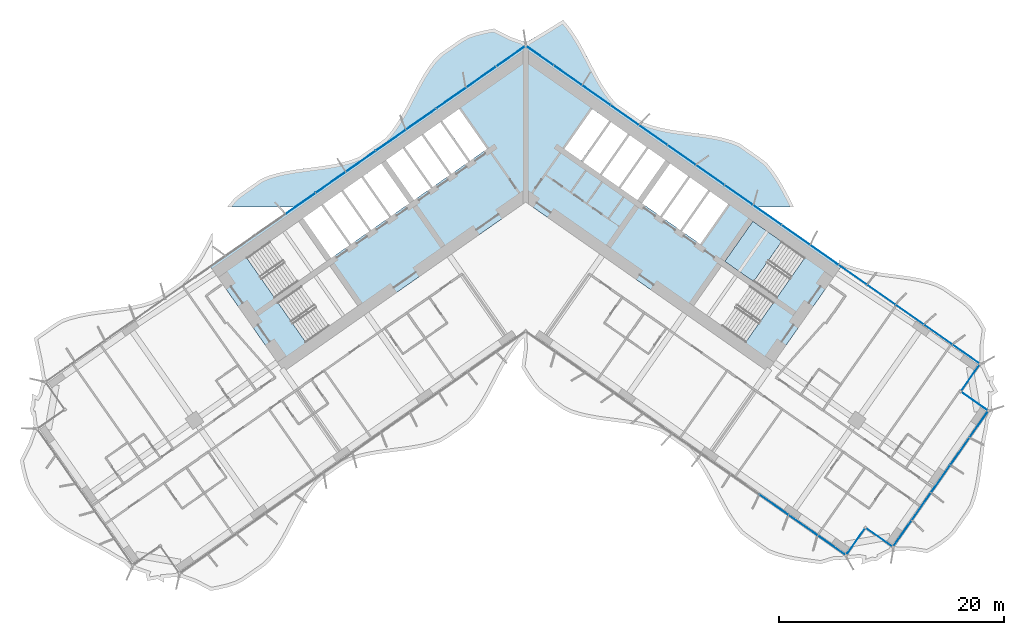
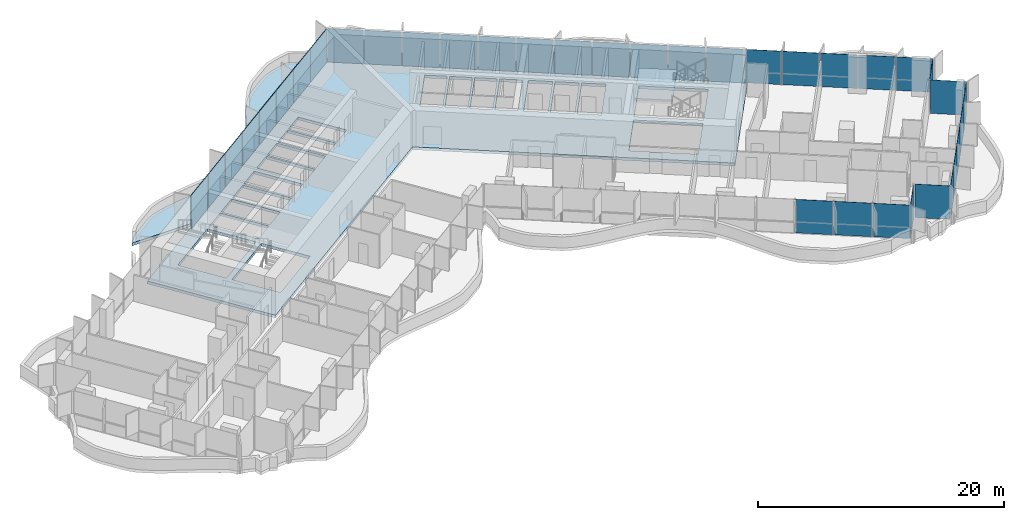
# One storey, part 11 of 23: 36 plates, 3 slabs, 3 elements without a shape of their own.
"""IFC4 building model written with IfcOpenShell, lengths in metres."""

from ifc_helpers import new_model, si_unit, direction, frame, origin, origin_2d, place, context, subcontext, project, spatial, polyline, rectangle, outline, extrude, material, layer, layer_set, type_object, element, aggregate, save


model = new_model("IFC4")

# Units and contexts
model_context = context("Model", 3, precision=1e-05, world=origin(), true_north=direction((0.0, 1.0)))
body_context = subcontext(model_context, "Body", "Model", "MODEL_VIEW")
ifc_project = project(units=[si_unit("LENGTHUNIT", "METRE"), si_unit("AREAUNIT", "SQUARE_METRE"), si_unit("VOLUMEUNIT", "CUBIC_METRE"), si_unit("PLANEANGLEUNIT", "RADIAN"), si_unit("MASSUNIT", "GRAM", prefix="KILO")], contexts=[model_context])

# Site, building, storey
site_placement = place(None, origin())
site = spatial("IfcSite", under=ifc_project, at=site_placement, CompositionType="ELEMENT")
building_placement = place(site_placement, origin())
building = spatial("IfcBuilding", under=site, at=building_placement, Name="Tel Ilan Convention Tower", CompositionType="ELEMENT")
storey_placement = place(building_placement, frame((0.0, 0.0, 83.300048828125)))
storey = spatial("IfcBuildingStorey", under=building, at=storey_placement, Name="L16", CompositionType="ELEMENT", Elevation=83.300048828125)

# Curtain wall, plates
ifc_material_1 = material(Name="Aluminium, bronze anodised", Category="aluminium")
curtain_wall_type_1 = type_object("IfcCurtainWallType", Name="CW1 UNITISED CURTAIN WALL, HOTEL TINTED GLASS", PredefinedType="NOTDEFINED", material=ifc_material_1)
curtain_wall_1_placement = place(storey_placement, origin())
curtain_wall_1 = element("IfcCurtainWall", 1, at=curtain_wall_1_placement, inside=storey, type_object=curtain_wall_type_1, Name="Curtain wall CW1-15.02", PredefinedType="NOTDEFINED")
ifc_material_2 = material(Name="Glass, bronze tinted, two-ply unitised", Category="glass")
ifc_layer_1 = layer(ifc_material_2, 0.028076171875)
ifc_layer_set_1 = layer_set([ifc_layer_1], Name="CW HOTEL GLASS PANEL 28")
plate_type_1 = type_object("IfcPlateType", Name="CW HOTEL GLASS PANEL 28", PredefinedType="CURTAIN_PANEL", material=ifc_layer_set_1)
plate_1_placement = place(storey_placement, frame((22.115478515625, -28.181396484375, 0.0), z_axis=(0.0, 0.0, 1.0), x_axis=(0.819152044289, -0.573576436351, 0.0)))
plate_1 = element("IfcPlate", 2, at=plate_1_placement, type_object=plate_type_1, Name="Glass panel", PredefinedType="CURTAIN_PANEL", context=body_context, shape_type="SweptSolid", body=[
    extrude(rectangle(XDim=3.10791015625, YDim=0.028076171875, at=origin_2d()), origin(), (0.0, 0.0, 1.0), 3.320068359375),
])
plate_2_placement = place(storey_placement, frame((24.71044921875, -29.99853515625, 0.0), z_axis=(0.0, 0.0, 1.0), x_axis=(0.819152044289, -0.573576436351, 0.0)))
plate_2 = element("IfcPlate", 3, at=plate_2_placement, type_object=plate_type_1, Name="Glass panel", PredefinedType="CURTAIN_PANEL", context=body_context, shape_type="SweptSolid", body=[
    extrude(rectangle(XDim=3.10791015625, YDim=0.028076171875, at=origin_2d()), origin(), (0.0, 0.0, 1.0), 3.320068359375),
])
plate_3_placement = place(storey_placement, frame((27.26708984375, -31.78857421875, 0.0), z_axis=(0.0, 0.0, 1.0), x_axis=(0.819152044289, -0.573576436351, 0.0)))
plate_3 = element("IfcPlate", 4, at=plate_3_placement, type_object=plate_type_1, Name="Glass panel", PredefinedType="CURTAIN_PANEL", context=body_context, shape_type="SweptSolid", body=[
    extrude(rectangle(XDim=3.013916015625, YDim=0.028076171875, at=origin_2d()), origin(), (0.0, 0.0, 1.0), 3.320068359375),
])
plate_4_placement = place(storey_placement, frame((29.359375, -31.469482421875, 0.0), z_axis=(0.0, 0.0, 1.0), x_axis=(0.573576436351, 0.819152044289, 0.0)))
plate_4 = element("IfcPlate", 5, at=plate_4_placement, type_object=plate_type_1, Name="Glass panel", PredefinedType="CURTAIN_PANEL", context=body_context, shape_type="SweptSolid", body=[
    extrude(rectangle(XDim=2.875, YDim=0.028076171875, at=origin_2d()), origin(), (0.0, 0.0, 1.0), 3.320068359375),
])
plate_5_placement = place(storey_placement, frame((31.502197265625, -31.091796875, 0.0), z_axis=(0.0, 0.0, 1.0), x_axis=(0.819152044289, -0.573576436351, 0.0)))
plate_5 = element("IfcPlate", 6, at=plate_5_placement, type_object=plate_type_1, Name="Glass panel", PredefinedType="CURTAIN_PANEL", context=body_context, shape_type="SweptSolid", body=[
    extrude(rectangle(XDim=2.875, YDim=0.028076171875, at=origin_2d()), origin(), (0.0, 0.0, 1.0), 3.320068359375),
])
plate_6_placement = place(storey_placement, frame((33.529296875, -30.74462890625, 0.0), z_axis=(0.0, 0.0, 1.0), x_axis=(0.573576436351, 0.819152044289, 0.0)))
plate_6 = element("IfcPlate", 7, at=plate_6_placement, type_object=plate_type_1, Name="Glass panel", PredefinedType="CURTAIN_PANEL", context=body_context, shape_type="SweptSolid", body=[
    extrude(rectangle(XDim=2.845947265625, YDim=0.028076171875, at=origin_2d()), origin(), (0.0, 0.0, 1.0), 3.320068359375),
])
plate_7_placement = place(storey_placement, frame((35.22314453125, -28.32568359375, 0.0), z_axis=(0.0, 0.0, 1.0), x_axis=(0.573576436351, 0.819152044289, 0.0)))
plate_7 = element("IfcPlate", 8, at=plate_7_placement, type_object=plate_type_1, Name="Glass panel", PredefinedType="CURTAIN_PANEL", context=body_context, shape_type="SweptSolid", body=[
    extrude(rectangle(XDim=2.93994140625, YDim=0.028076171875, at=origin_2d()), origin(), (0.0, 0.0, 1.0), 3.320068359375),
])
plate_8_placement = place(storey_placement, frame((36.94384765625, -25.868408203125, 0.0), z_axis=(0.0, 0.0, 1.0), x_axis=(0.573576436351, 0.819152044289, 0.0)))
plate_8 = element("IfcPlate", 9, at=plate_8_placement, type_object=plate_type_1, Name="Glass panel", PredefinedType="CURTAIN_PANEL", context=body_context, shape_type="SweptSolid", body=[
    extrude(rectangle(XDim=2.93994140625, YDim=0.028076171875, at=origin_2d()), origin(), (0.0, 0.0, 1.0), 3.320068359375),
])
plate_9_placement = place(storey_placement, frame((38.66455078125, -23.410888671875, 0.0), z_axis=(0.0, 0.0, 1.0), x_axis=(0.573576436351, 0.819152044289, 0.0)))
plate_9 = element("IfcPlate", 10, at=plate_9_placement, type_object=plate_type_1, Name="Glass panel", PredefinedType="CURTAIN_PANEL", context=body_context, shape_type="SweptSolid", body=[
    extrude(rectangle(XDim=2.93994140625, YDim=0.028076171875, at=origin_2d()), origin(), (0.0, 0.0, 1.0), 3.320068359375),
])
plate_10_placement = place(storey_placement, frame((40.358154296875, -20.991943359375, 0.0), z_axis=(0.0, 0.0, 1.0), x_axis=(0.573576436351, 0.819152044289, 0.0)))
plate_10 = element("IfcPlate", 11, at=plate_10_placement, type_object=plate_type_1, Name="Glass panel", PredefinedType="CURTAIN_PANEL", context=body_context, shape_type="SweptSolid", body=[
    extrude(rectangle(XDim=2.845947265625, YDim=0.028076171875, at=origin_2d()), origin(), (0.0, 0.0, 1.0), 3.320068359375),
])
plate_11_placement = place(storey_placement, frame((39.990966796875, -18.96826171875, 0.0), z_axis=(0.0, 0.0, 1.0), x_axis=(-0.819152044289, 0.573576436351, 0.0)))
plate_11 = element("IfcPlate", 12, at=plate_11_placement, type_object=plate_type_1, Name="Glass panel", PredefinedType="CURTAIN_PANEL", context=body_context, shape_type="SweptSolid", body=[
    extrude(rectangle(XDim=2.875, YDim=0.028076171875, at=origin_2d()), origin(), (0.0, 0.0, 1.0), 3.320068359375),
])
plate_12_placement = place(storey_placement, frame((39.61328125, -16.82568359375, 0.0), z_axis=(0.0, 0.0, 1.0), x_axis=(0.573576436351, 0.819152044289, 0.0)))
plate_12 = element("IfcPlate", 13, at=plate_12_placement, type_object=plate_type_1, Name="Glass panel", PredefinedType="CURTAIN_PANEL", context=body_context, shape_type="SweptSolid", body=[
    extrude(rectangle(XDim=2.875, YDim=0.028076171875, at=origin_2d()), origin(), (0.0, 0.0, 1.0), 3.320068359375),
])
plate_13_placement = place(storey_placement, frame((39.2265625, -14.7705078125, 0.0), z_axis=(0.0, 0.0, 1.0), x_axis=(-0.819152044289, 0.573576436351, 0.0)))
plate_13 = element("IfcPlate", 14, at=plate_13_placement, type_object=plate_type_1, Name="Glass panel", PredefinedType="CURTAIN_PANEL", context=body_context, shape_type="SweptSolid", body=[
    extrude(rectangle(XDim=2.943115234375, YDim=0.028076171875, at=origin_2d()), origin(), (0.0, 0.0, 1.0), 3.320068359375),
])
plate_14_placement = place(storey_placement, frame((36.72802734375, -13.021240234375, 0.0), z_axis=(0.0, 0.0, 1.0), x_axis=(-0.819152044289, 0.573576436351, 0.0)))
plate_14 = element("IfcPlate", 15, at=plate_14_placement, type_object=plate_type_1, Name="Glass panel", PredefinedType="CURTAIN_PANEL", context=body_context, shape_type="SweptSolid", body=[
    extrude(rectangle(XDim=3.037109375, YDim=0.028076171875, at=origin_2d()), origin(), (0.0, 0.0, 1.0), 3.320068359375),
])
plate_15_placement = place(storey_placement, frame((34.191162109375, -11.244873046875, 0.0), z_axis=(0.0, 0.0, 1.0), x_axis=(-0.819152044289, 0.573576436351, 0.0)))
plate_15 = element("IfcPlate", 16, at=plate_15_placement, type_object=plate_type_1, Name="Glass panel", PredefinedType="CURTAIN_PANEL", context=body_context, shape_type="SweptSolid", body=[
    extrude(rectangle(XDim=3.037109375, YDim=0.028076171875, at=origin_2d()), origin(), (0.0, 0.0, 1.0), 3.320068359375),
])
plate_16_placement = place(storey_placement, frame((31.654296875, -9.468505859375, 0.0), z_axis=(0.0, 0.0, 1.0), x_axis=(-0.819152044289, 0.573576436351, 0.0)))
plate_16 = element("IfcPlate", 17, at=plate_16_placement, type_object=plate_type_1, Name="Glass panel", PredefinedType="CURTAIN_PANEL", context=body_context, shape_type="SweptSolid", body=[
    extrude(rectangle(XDim=3.037109375, YDim=0.028076171875, at=origin_2d()), origin(), (0.0, 0.0, 1.0), 3.320068359375),
])
plate_17_placement = place(storey_placement, frame((29.1171875, -7.692138671875, 0.0), z_axis=(0.0, 0.0, 1.0), x_axis=(-0.819152044289, 0.573576436351, 0.0)))
plate_17 = element("IfcPlate", 18, at=plate_17_placement, type_object=plate_type_1, Name="Glass panel", PredefinedType="CURTAIN_PANEL", context=body_context, shape_type="SweptSolid", body=[
    extrude(rectangle(XDim=3.037109375, YDim=0.028076171875, at=origin_2d()), origin(), (0.0, 0.0, 1.0), 3.320068359375),
])
aggregate(curtain_wall_1, [plate_1, plate_2, plate_3, plate_4, plate_5, plate_6, plate_7, plate_8, plate_9, plate_10, plate_11, plate_12, plate_13, plate_14, plate_15, plate_16, plate_17])

ifc_material_3 = material(Name="Aluminium, bronze anodised", Category="aluminium")
curtain_wall_type_2 = type_object("IfcCurtainWallType", Name="CW2 STICK CURTAIN WALL, SPANDREL PANELS", PredefinedType="NOTDEFINED", material=ifc_material_3)
curtain_wall_2_placement = place(storey_placement, origin())
curtain_wall_2 = element("IfcCurtainWall", 19, at=curtain_wall_2_placement, inside=storey, type_object=curtain_wall_type_2, Name="Curtain wall CW2-15.01", PredefinedType="NOTDEFINED")
ifc_material_4 = material(Name="Aluminium composite panel, bronze anodised", Category="aluminium")
ifc_layer_2 = layer(ifc_material_4, 0.06005859375)
ifc_layer_set_2 = layer_set([ifc_layer_2], Name="CW SPANDREL PANEL 60")
plate_type_2 = type_object("IfcPlateType", Name="CW SPANDREL PANEL 60", PredefinedType="CURTAIN_PANEL", material=ifc_layer_set_2)
plate_18_placement = place(storey_placement, frame((26.580322265625, -5.915771484375, 0.0), z_axis=(0.0, 0.0, 1.0), x_axis=(-0.819152044289, 0.573576436351, 0.0)))
plate_18 = element("IfcPlate", 20, at=plate_18_placement, type_object=plate_type_2, Name="Spandrel panel", PredefinedType="CURTAIN_PANEL", context=body_context, shape_type="SweptSolid", body=[
    extrude(rectangle(XDim=3.037109375, YDim=0.06005859375, at=origin_2d()), origin(), (0.0, 0.0, 1.0), 3.320068359375),
])
plate_19_placement = place(storey_placement, frame((24.04345703125, -4.139404296875, 0.0), z_axis=(0.0, 0.0, 1.0), x_axis=(-0.819152044289, 0.573576436351, 0.0)))
plate_19 = element("IfcPlate", 21, at=plate_19_placement, type_object=plate_type_2, Name="Spandrel panel", PredefinedType="CURTAIN_PANEL", context=body_context, shape_type="SweptSolid", body=[
    extrude(rectangle(XDim=3.037109375, YDim=0.06005859375, at=origin_2d()), origin(), (0.0, 0.0, 1.0), 3.320068359375),
])
plate_20_placement = place(storey_placement, frame((21.506591796875, -2.363037109375, 0.0), z_axis=(0.0, 0.0, 1.0), x_axis=(-0.819152044289, 0.573576436351, 0.0)))
plate_20 = element("IfcPlate", 22, at=plate_20_placement, type_object=plate_type_2, Name="Spandrel panel", PredefinedType="CURTAIN_PANEL", context=body_context, shape_type="SweptSolid", body=[
    extrude(rectangle(XDim=3.037109375, YDim=0.06005859375, at=origin_2d()), origin(), (0.0, 0.0, 1.0), 3.320068359375),
])
plate_21_placement = place(storey_placement, frame((18.969482421875, -0.586669921875, 0.0), z_axis=(0.0, 0.0, 1.0), x_axis=(-0.819152044289, 0.573576436351, 0.0)))
plate_21 = element("IfcPlate", 23, at=plate_21_placement, type_object=plate_type_2, Name="Spandrel panel", PredefinedType="CURTAIN_PANEL", context=body_context, shape_type="SweptSolid", body=[
    extrude(rectangle(XDim=3.037109375, YDim=0.06005859375, at=origin_2d()), origin(), (0.0, 0.0, 1.0), 3.320068359375),
])
plate_22_placement = place(storey_placement, frame((16.4326171875, 1.189697265625, 0.0), z_axis=(0.0, 0.0, 1.0), x_axis=(-0.819152044289, 0.573576436351, 0.0)))
plate_22 = element("IfcPlate", 24, at=plate_22_placement, type_object=plate_type_2, Name="Spandrel panel", PredefinedType="CURTAIN_PANEL", context=body_context, shape_type="SweptSolid", body=[
    extrude(rectangle(XDim=3.037109375, YDim=0.06005859375, at=origin_2d()), origin(), (0.0, 0.0, 1.0), 3.320068359375),
])
plate_23_placement = place(storey_placement, frame((13.895751953125, 2.966064453125, 0.0), z_axis=(0.0, 0.0, 1.0), x_axis=(-0.819152044289, 0.573576436351, 0.0)))
plate_23 = element("IfcPlate", 25, at=plate_23_placement, type_object=plate_type_2, Name="Spandrel panel", PredefinedType="CURTAIN_PANEL", context=body_context, shape_type="SweptSolid", body=[
    extrude(rectangle(XDim=3.037109375, YDim=0.06005859375, at=origin_2d()), origin(), (0.0, 0.0, 1.0), 3.320068359375),
])
plate_24_placement = place(storey_placement, frame((11.35888671875, 4.742431640625, 0.0), z_axis=(0.0, 0.0, 1.0), x_axis=(-0.819152044289, 0.573576436351, 0.0)))
plate_24 = element("IfcPlate", 26, at=plate_24_placement, type_object=plate_type_2, Name="Spandrel panel", PredefinedType="CURTAIN_PANEL", context=body_context, shape_type="SweptSolid", body=[
    extrude(rectangle(XDim=3.037109375, YDim=0.06005859375, at=origin_2d()), origin(), (0.0, 0.0, 1.0), 3.320068359375),
])
plate_25_placement = place(storey_placement, frame((8.82177734375, 6.518798828125, 0.0), z_axis=(0.0, 0.0, 1.0), x_axis=(-0.819152044289, 0.573576436351, 0.0)))
plate_25 = element("IfcPlate", 27, at=plate_25_placement, type_object=plate_type_2, Name="Spandrel panel", PredefinedType="CURTAIN_PANEL", context=body_context, shape_type="SweptSolid", body=[
    extrude(rectangle(XDim=3.037109375, YDim=0.06005859375, at=origin_2d()), origin(), (0.0, 0.0, 1.0), 3.320068359375),
])
plate_26_placement = place(storey_placement, frame((6.284912109375, 8.295166015625, 0.0), z_axis=(0.0, 0.0, 1.0), x_axis=(-0.819152044289, 0.573576436351, 0.0)))
plate_26 = element("IfcPlate", 28, at=plate_26_placement, type_object=plate_type_2, Name="Spandrel panel", PredefinedType="CURTAIN_PANEL", context=body_context, shape_type="SweptSolid", body=[
    extrude(rectangle(XDim=3.037109375, YDim=0.06005859375, at=origin_2d()), origin(), (0.0, 0.0, 1.0), 3.320068359375),
])
plate_27_placement = place(storey_placement, frame((3.748046875, 10.07177734375, 0.0), z_axis=(0.0, 0.0, 1.0), x_axis=(-0.819152044289, 0.573576436351, 0.0)))
plate_27 = element("IfcPlate", 29, at=plate_27_placement, type_object=plate_type_2, Name="Spandrel panel", PredefinedType="CURTAIN_PANEL", context=body_context, shape_type="SweptSolid", body=[
    extrude(rectangle(XDim=3.037109375, YDim=0.06005859375, at=origin_2d()), origin(), (0.0, 0.0, 1.0), 3.320068359375),
])
plate_28_placement = place(storey_placement, frame((1.256103515625, 11.81640625, 0.0), z_axis=(0.0, 0.0, 1.0), x_axis=(-0.819152044289, 0.573576436351, 0.0)))
plate_28 = element("IfcPlate", 30, at=plate_28_placement, type_object=plate_type_2, Name="Spandrel panel", PredefinedType="CURTAIN_PANEL", context=body_context, shape_type="SweptSolid", body=[
    extrude(rectangle(XDim=2.927001953125, YDim=0.06005859375, at=origin_2d()), origin(), (0.0, 0.0, 1.0), 3.320068359375),
])
plate_29_placement = place(storey_placement, frame((-1.327880859375, 11.766357421875, 0.0), z_axis=(0.0, 0.0, 1.0), x_axis=(-0.819152044289, -0.573576436351, 0.0)))
plate_29 = element("IfcPlate", 31, at=plate_29_placement, type_object=plate_type_2, Name="Spandrel panel", PredefinedType="CURTAIN_PANEL", context=body_context, shape_type="SweptSolid", body=[
    extrude(rectangle(XDim=3.10205078125, YDim=0.06005859375, at=origin_2d()), origin(), (0.0, 0.0, 1.0), 3.320068359375),
])
plate_30_placement = place(storey_placement, frame((-3.963134765625, 9.921142578125, 0.0), z_axis=(0.0, 0.0, 1.0), x_axis=(-0.819152044289, -0.573576436351, 0.0)))
plate_30 = element("IfcPlate", 32, at=plate_30_placement, type_object=plate_type_2, Name="Spandrel panel", PredefinedType="CURTAIN_PANEL", context=body_context, shape_type="SweptSolid", body=[
    extrude(rectangle(XDim=3.2119140625, YDim=0.06005859375, at=origin_2d()), origin(), (0.0, 0.0, 1.0), 3.320068359375),
])
plate_31_placement = place(storey_placement, frame((-6.643310546875, 8.04443359375, 0.0), z_axis=(0.0, 0.0, 1.0), x_axis=(-0.819152044289, -0.573576436351, 0.0)))
plate_31 = element("IfcPlate", 33, at=plate_31_placement, type_object=plate_type_2, Name="Spandrel panel", PredefinedType="CURTAIN_PANEL", context=body_context, shape_type="SweptSolid", body=[
    extrude(rectangle(XDim=3.2119140625, YDim=0.06005859375, at=origin_2d()), origin(), (0.0, 0.0, 1.0), 3.320068359375),
])
plate_32_placement = place(storey_placement, frame((-9.323486328125, 6.16748046875, 0.0), z_axis=(0.0, 0.0, 1.0), x_axis=(-0.819152044289, -0.573576436351, 0.0)))
plate_32 = element("IfcPlate", 34, at=plate_32_placement, type_object=plate_type_2, Name="Spandrel panel", PredefinedType="CURTAIN_PANEL", context=body_context, shape_type="SweptSolid", body=[
    extrude(rectangle(XDim=3.2119140625, YDim=0.06005859375, at=origin_2d()), origin(), (0.0, 0.0, 1.0), 3.320068359375),
])
plate_33_placement = place(storey_placement, frame((-12.00390625, 4.290771484375, 0.0), z_axis=(0.0, 0.0, 1.0), x_axis=(-0.819152044289, -0.573576436351, 0.0)))
plate_33 = element("IfcPlate", 35, at=plate_33_placement, type_object=plate_type_2, Name="Spandrel panel", PredefinedType="CURTAIN_PANEL", context=body_context, shape_type="SweptSolid", body=[
    extrude(rectangle(XDim=3.2119140625, YDim=0.06005859375, at=origin_2d()), origin(), (0.0, 0.0, 1.0), 3.320068359375),
])
plate_34_placement = place(storey_placement, frame((-14.68408203125, 2.4140625, 0.0), z_axis=(0.0, 0.0, 1.0), x_axis=(-0.819152044289, -0.573576436351, 0.0)))
plate_34 = element("IfcPlate", 36, at=plate_34_placement, type_object=plate_type_2, Name="Spandrel panel", PredefinedType="CURTAIN_PANEL", context=body_context, shape_type="SweptSolid", body=[
    extrude(rectangle(XDim=3.2119140625, YDim=0.06005859375, at=origin_2d()), origin(), (0.0, 0.0, 1.0), 3.320068359375),
])
plate_35_placement = place(storey_placement, frame((-17.364501953125, 0.537353515625, 0.0), z_axis=(0.0, 0.0, 1.0), x_axis=(-0.819152044289, -0.573576436351, 0.0)))
plate_35 = element("IfcPlate", 37, at=plate_35_placement, type_object=plate_type_2, Name="Spandrel panel", PredefinedType="CURTAIN_PANEL", context=body_context, shape_type="SweptSolid", body=[
    extrude(rectangle(XDim=3.2119140625, YDim=0.06005859375, at=origin_2d()), origin(), (0.0, 0.0, 1.0), 3.320068359375),
])
plate_36_placement = place(storey_placement, frame((-20.044677734375, -1.33935546875, 0.0), z_axis=(0.0, 0.0, 1.0), x_axis=(-0.819152044289, -0.573576436351, 0.0)))
plate_36 = element("IfcPlate", 38, at=plate_36_placement, type_object=plate_type_2, Name="Spandrel panel", PredefinedType="CURTAIN_PANEL", context=body_context, shape_type="SweptSolid", body=[
    extrude(rectangle(XDim=3.2119140625, YDim=0.06005859375, at=origin_2d()), origin(), (0.0, 0.0, 1.0), 3.320068359375),
])
aggregate(curtain_wall_2, [plate_18, plate_19, plate_20, plate_21, plate_22, plate_23, plate_24, plate_25, plate_26, plate_27, plate_28, plate_29, plate_30, plate_31, plate_32, plate_33, plate_34, plate_35, plate_36])

# Stair, slab
ifc_material_5 = material(Name="Concrete C40/50", Category="concrete")
stair_type = type_object("IfcStairType", Name="Pressurised Exit Stair 20 risers 180 mm", PredefinedType="HALF_TURN_STAIR", material=ifc_material_5)
stair_placement = place(storey_placement, origin())
stair = element("IfcStair", 39, at=stair_placement, inside=storey, type_object=stair_type, Name="L16 Pressurised Stair S3", PredefinedType="HALF_TURN_STAIR")
ifc_material_6 = material(Name="Concrete C40/50", Category="concrete")
ifc_layer_3 = layer(ifc_material_6, 0.199951171875)
ifc_layer_set_3 = layer_set([ifc_layer_3], Name="Concrete Stair Landing 200 mm C40/50")
slab_type_1 = type_object("IfcSlabType", Name="Concrete Stair Landing 200 mm", PredefinedType="LANDING", material=ifc_layer_set_3)
slab_1_placement = place(storey_placement, frame((0.0, 0.0, 1.599853515625)))
slab_1 = element("IfcSlab", 40, at=slab_1_placement, type_object=slab_type_1, Name="S3 landing 1", PredefinedType="LANDING", context=body_context, shape_type="SweptSolid", body=[
    extrude(outline(polyline([(22.791015625, -4.727294921875), (20.226318359375, -2.931640625), (17.7314453125, -6.494873046875), (20.2958984375, -8.29052734375), (22.791015625, -4.727294921875)])), origin(), (0.0, 0.0, 1.0), 0.2001953125),
])
aggregate(stair, [slab_1])

# Slabs
ifc_material_7 = material(Name="Concrete C40/50", Category="concrete")
ifc_layer_4 = layer(ifc_material_7, 0.280029296875)
ifc_layer_set_4 = layer_set([ifc_layer_4], Name="Core Floor Slab 280 mm C40/50")
slab_type_2 = type_object("IfcSlabType", Name="Core Floor Slab 280 mm C40/50", PredefinedType="FLOOR", material=ifc_layer_set_4)
slab_2_placement = place(storey_placement, frame((0.0, 0.0, -0.280029296875)))
element("IfcSlab", 41, at=slab_2_placement, inside=storey, type_object=slab_type_2, Name="L16 core floor 1", PredefinedType="FLOOR", context=body_context, shape_type="SweptSolid", body=[
    extrude(outline(polyline([(-28.1396484375, -6.885498046875), (0.0, 12.818115234375), (28.1396484375, -6.885498046875), (21.54345703125, -16.3056640625), (0.0, -1.220703125), (-21.54345703125, -16.3056640625), (-28.1396484375, -6.885498046875)]), holes=[polyline([(-14.949462890625, -10.4677734375), (-17.444580078125, -6.904541015625), (-22.072021484375, -10.144775390625), (-19.5771484375, -13.7080078125), (-14.949462890625, -10.4677734375)]), polyline([(-17.7314453125, -6.494873046875), (-20.226318359375, -2.931640625), (-24.85400390625, -6.171875), (-22.35888671875, -9.735107421875), (-17.7314453125, -6.494873046875)]), polyline([(-18.198974609375, -1.511962890625), (-19.81689453125, -2.644775390625), (-17.32177734375, -6.2080078125), (-15.7041015625, -5.0751953125), (-18.198974609375, -1.511962890625)]), polyline([(-16.41748046875, -0.264404296875), (-18.03515625, -1.397216796875), (-15.5400390625, -4.960693359375), (-13.92236328125, -3.827880859375), (-16.41748046875, -0.264404296875)]), polyline([(-14.6357421875, 0.983154296875), (-16.25341796875, -0.149658203125), (-13.758544921875, -3.712890625), (-12.140625, -2.580078125), (-14.6357421875, 0.983154296875)]), polyline([(-12.85400390625, 2.230712890625), (-14.471923828125, 1.097900390625), (-11.976806640625, -2.465576171875), (-10.35888671875, -1.332763671875), (-12.85400390625, 2.230712890625)]), polyline([(-10.939208984375, 3.5712890625), (-12.444580078125, 2.517333984375), (-9.949462890625, -1.0458984375), (-8.444091796875, 0.008056640625), (-10.939208984375, 3.5712890625)]), polyline([(-6.775146484375, 1.1767578125), (-9.270263671875, 4.739990234375), (-10.775390625, 3.68603515625), (-8.280517578125, 0.122802734375), (-6.775146484375, 1.1767578125)]), polyline([(-5.106201171875, 2.345458984375), (-7.601318359375, 5.90869140625), (-9.1064453125, 4.854736328125), (-6.611328125, 1.29150390625), (-5.106201171875, 2.345458984375)]), polyline([(-5.93212890625, 7.077392578125), (-7.4375, 6.0234375), (-4.9423828125, 2.460205078125), (-3.437255859375, 3.513916015625), (-5.93212890625, 7.077392578125)]), polyline([(17.444580078125, -6.904541015625), (14.949462890625, -10.4677734375), (19.5771484375, -13.7080078125), (22.072021484375, -10.144775390625), (17.444580078125, -6.904541015625)]), polyline([(20.226318359375, -2.931640625), (17.7314453125, -6.494873046875), (22.35888671875, -9.735107421875), (24.85400390625, -6.171875), (20.226318359375, -2.931640625)]), polyline([(13.92236328125, -3.827880859375), (15.5400390625, -4.960693359375), (18.03515625, -1.397216796875), (16.41748046875, -0.264404296875), (13.92236328125, -3.827880859375)]), polyline([(12.140625, -2.580078125), (13.758544921875, -3.712890625), (16.25341796875, -0.149658203125), (14.6357421875, 0.983154296875), (12.140625, -2.580078125)]), polyline([(11.976806640625, -2.465576171875), (14.471923828125, 1.097900390625), (12.85400390625, 2.230712890625), (10.35888671875, -1.332763671875), (11.976806640625, -2.465576171875)]), polyline([(9.949462890625, -1.0458984375), (12.444580078125, 2.517333984375), (10.939208984375, 3.5712890625), (8.444091796875, 0.008056640625), (9.949462890625, -1.0458984375)]), polyline([(8.280517578125, 0.122802734375), (10.775390625, 3.68603515625), (9.270263671875, 4.739990234375), (6.775146484375, 1.1767578125), (8.280517578125, 0.122802734375)]), polyline([(5.106201171875, 2.345458984375), (6.611328125, 1.29150390625), (9.1064453125, 4.854736328125), (7.601318359375, 5.90869140625), (5.106201171875, 2.345458984375)]), polyline([(3.437255859375, 3.513916015625), (4.9423828125, 2.460205078125), (7.4375, 6.0234375), (5.93212890625, 7.077392578125), (3.437255859375, 3.513916015625)])]), origin(), (0.0, 0.0, 1.0), 0.280029296875),
])
ifc_material_8 = material(Name="Concrete C40/50", Category="concrete")
ifc_layer_5 = layer(ifc_material_8, 0.280029296875)
ifc_layer_set_5 = layer_set([ifc_layer_5], Name="Edge Ledge Slab 280 mm C40/50")
slab_type_3 = type_object("IfcSlabType", Name="Edge Ledge Slab 280 mm C40/50", PredefinedType="FLOOR", material=ifc_layer_set_5)
slab_3_placement = place(storey_placement, frame((0.0, 0.0, -0.280029296875)))
element("IfcSlab", 42, at=slab_3_placement, inside=storey, type_object=slab_type_3, Name="L16 edge ledge 2", PredefinedType="FLOOR", context=body_context, shape_type="SweptSolid", body=[
    extrude(outline(polyline([(-23.564453125, 0.8349609375), (-22.857421875, 1.129150390625), (-22.099365234375, 1.350341796875), (-21.307861328125, 1.52392578125), (-20.490966796875, 1.661376953125), (-19.658203125, 1.77587890625), (-18.8193359375, 1.881591796875), (-17.98486328125, 1.993896484375), (-17.16455078125, 2.12646484375), (-16.368408203125, 2.29296875), (-15.60400390625, 2.50537109375), (-14.87890625, 2.773681640625), (-14.2626953125, 3.197509765625), (-13.037353515625, 4.055419921875), (-12.43994140625, 4.506103515625), (-11.945068359375, 5.103271484375), (-11.48828125, 5.755126953125), (-11.06298828125, 6.451416015625), (-10.66015625, 7.179931640625), (-10.2705078125, 7.927490234375), (-9.8837890625, 8.67919921875), (-9.489990234375, 9.42041015625), (-9.078857421875, 10.13720703125), (-8.641357421875, 10.81640625), (-8.169677734375, 11.446533203125), (-7.635986328125, 11.98828125), (-5.798095703125, 13.275146484375), (-5.14013671875, 13.639404296875), (-4.39794921875, 13.88330078125), (-3.619384765625, 14.075439453125), (-2.81201171875, 14.226318359375), (-1.382080078125, 13.48828125), (-0.172119140625, 13.06396484375), (-0.168701171875, 13.05908203125), (-0.11474609375, 13.09521484375), (0.0, 13.1181640625), (0.11474609375, 13.09521484375), (0.168701171875, 13.05908203125), (0.172119140625, 13.06396484375), (1.732666015625, 14.003173828125), (3.331787109375, 14.997802734375), (3.8291015625, 14.418212890625), (4.28662109375, 13.7822265625), (4.71240234375, 13.100830078125), (5.1142578125, 12.385498046875), (5.50146484375, 11.64892578125), (5.883544921875, 10.9052734375), (6.2705078125, 10.168701171875), (6.672119140625, 9.452880859375), (7.09765625, 8.770751953125), (7.5546875, 8.134033203125), (8.050048828125, 7.55224609375), (8.65380859375, 7.125), (9.865478515625, 6.276611328125), (10.483642578125, 5.8701171875), (11.20458984375, 5.610107421875), (11.963134765625, 5.404052734375), (12.75244140625, 5.241943359375), (13.564697265625, 5.1123046875), (14.390380859375, 5.002197265625), (15.2197265625, 4.8974609375), (16.043212890625, 4.78369140625), (16.8505859375, 4.647705078125), (17.63330078125, 4.47607421875), (18.38330078125, 4.2578125), (19.08544921875, 3.97119140625), (20.903076171875, 2.698486328125), (21.484130859375, 2.239013671875), (21.9697265625, 1.643310546875), (22.418701171875, 0.99462890625), (22.83740234375, 0.3037109375), (23.23486328125, -0.41845703125), (23.619873046875, -1.158203125), (23.86328125, -1.631591796875), (20.63623046875, -1.631591796875), (0.0, 12.818115234375), (-20.63623046875, -1.631591796875), (-26.5380859375, -1.631591796875), (-26.470947265625, -1.533447265625), (-25.98291015625, -0.9267578125), (-25.40234375, -0.451904296875), (-23.564453125, 0.8349609375)])), origin(), (0.0, 0.0, 1.0), 0.280029296875),
])

save(model, "model.ifc")
